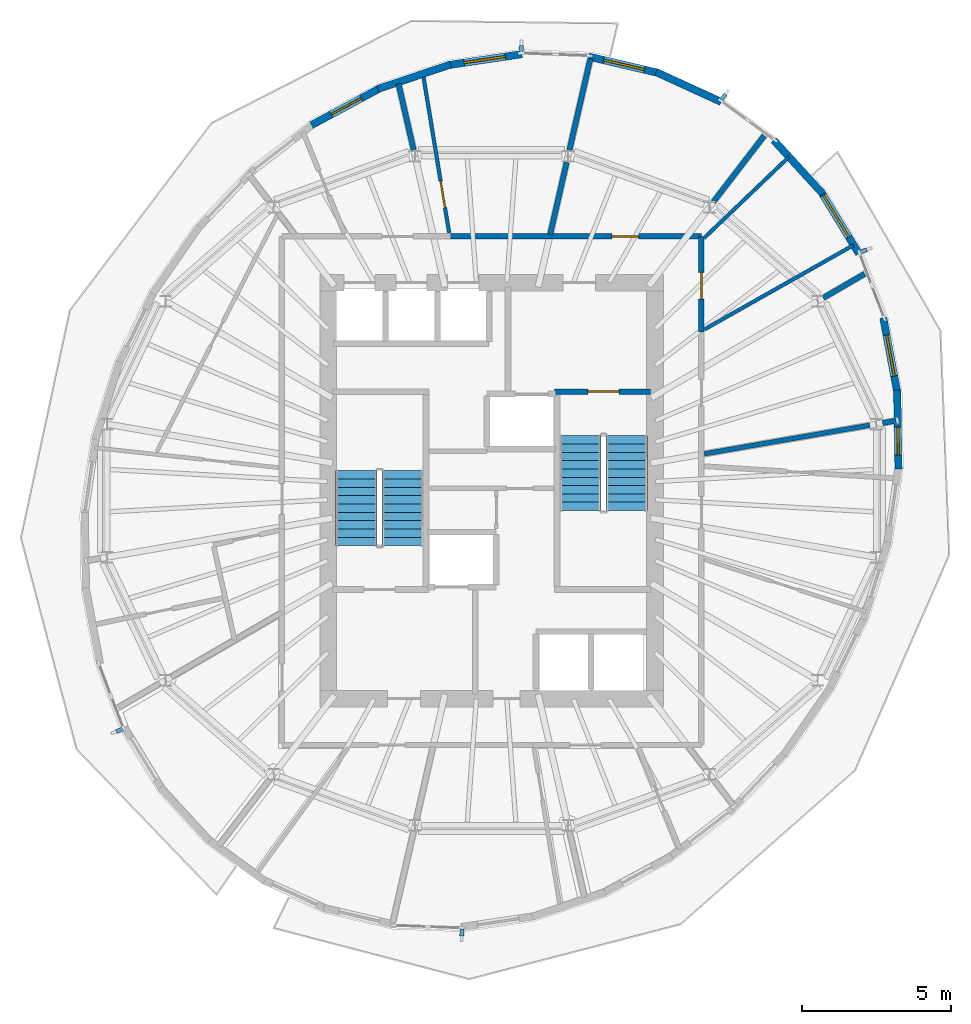
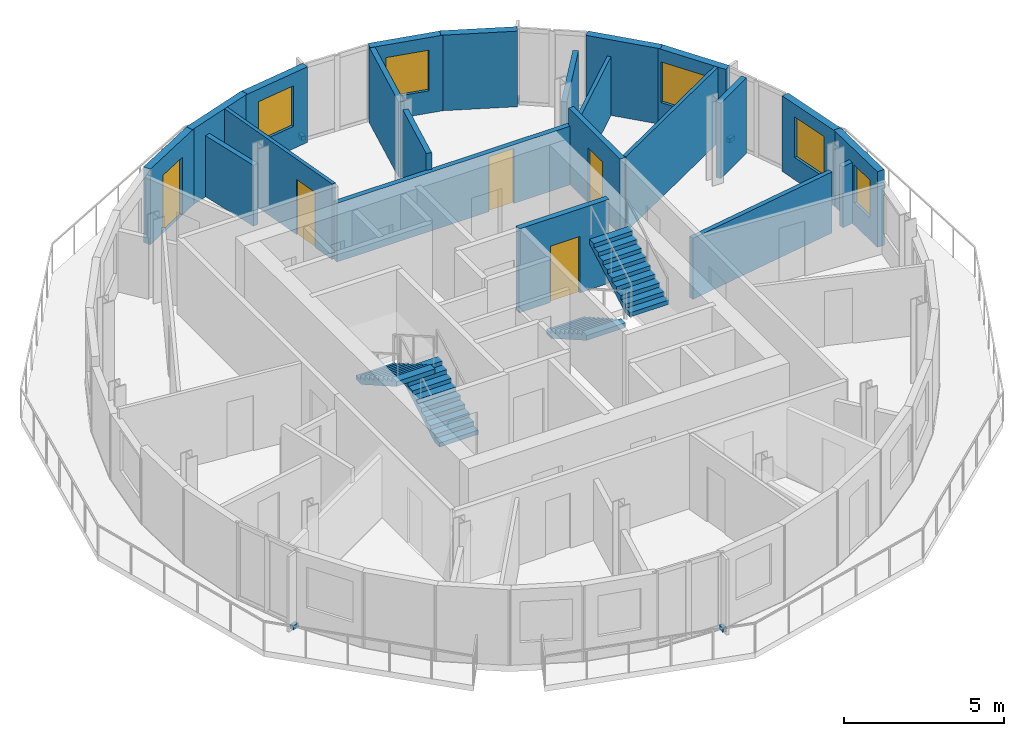
# One storey, part 7 of 11: 22 walls, 5 discrete accessories, 5 doors, 5 windows, 4 stair flights, 10 openings, 2 elements without a shape of their own.
"""IFC4 building model written with IfcOpenShell, lengths in metres."""

from ifc_helpers import new_model, si_unit, direction, frame, frame_2d, origin, origin_2d, place, context, subcontext, project, spatial, polyline, rectangle, outline, extrude, material, layer, layer_set, type_object, element, fill, aggregate, save


model = new_model("IFC4")

# Units and contexts
model_context = context("Model", 3, precision=1e-05, world=origin(), true_north=direction((0.0, 1.0)))
body_context = subcontext(model_context, "Body", "Model", "MODEL_VIEW")
ifc_project = project(units=[si_unit("LENGTHUNIT", "METRE"), si_unit("AREAUNIT", "SQUARE_METRE"), si_unit("VOLUMEUNIT", "CUBIC_METRE"), si_unit("PLANEANGLEUNIT", "RADIAN"), si_unit("MASSUNIT", "GRAM", prefix="KILO")], contexts=[model_context])

# Site, building, storey
site_placement = place(None, origin())
site = spatial("IfcSite", under=ifc_project, at=site_placement, CompositionType="ELEMENT")
building_placement = place(site_placement, origin())
building = spatial("IfcBuilding", under=site, at=building_placement, Name="Veldorim Arch Residences", CompositionType="ELEMENT")
storey_placement = place(building_placement, frame((0.0, 0.0, 239.840087890625)))
storey = spatial("IfcBuildingStorey", under=building, at=storey_placement, Name="L72", CompositionType="ELEMENT", Elevation=239.840087890625)

# Walls
ifc_material_1 = material(Name="Acoustic Gypsum Board", Category="gypsum")
ifc_layer_1 = layer(ifc_material_1, 0.125, Name="Acoustic Stud Room Partition Wall 125")
ifc_layer_set_1 = layer_set([ifc_layer_1], Name="Acoustic Gypsum Board")
wall_type_1 = type_object("IfcWallType", Name="Acoustic Stud Room Partition Wall 125", PredefinedType="PARTITIONING", material=ifc_layer_set_1)
wall_1_placement = place(storey_placement, frame((42.00244140625, 35.226318359375, 0.0), z_axis=(0.0, 0.0, 1.0), x_axis=(-0.722686135134, -0.691176352377, 0.0)))
element("IfcWall", 1, at=wall_1_placement, inside=storey, type_object=wall_type_1, Name="L72 interior wall WL-RES-L72-018", PredefinedType="PARTITIONING", context=body_context, shape_type="SweptSolid", body=[
    extrude(rectangle(XDim=3.951416015625, YDim=0.125, at=frame_2d((1.9755859375, 0.0))), origin(), (0.0, 0.0, 1.0), 2.23779296875),
])
wall_2_placement = place(storey_placement, frame((44.17919921875, 32.260498046875, 0.0), z_axis=(0.0, 0.0, 1.0), x_axis=(-0.870609410892, -0.491974850644, 0.0)))
element("IfcWall", 2, at=wall_2_placement, inside=storey, type_object=wall_type_1, Name="L72 interior wall WL-RES-L72-020", PredefinedType="PARTITIONING", context=body_context, shape_type="SweptSolid", body=[
    extrude(rectangle(XDim=5.760009765625, YDim=0.125, at=frame_2d((2.8798828125, 0.0))), origin(), (0.0, 0.0, 1.0), 2.875),
])

# Wall, opening, door
wall_3_placement = place(storey_placement, frame((29.693603515625, 38.01953125, 0.0), z_axis=(0.0, 0.0, 1.0), x_axis=(0.162328724732, -0.98673673547, 0.0)))
wall_3 = element("IfcWall", 3, at=wall_3_placement, inside=storey, type_object=wall_type_1, Name="L72 interior wall WL-RES-L72-022", PredefinedType="PARTITIONING", context=body_context, shape_type="SweptSolid", body=[
    extrude(rectangle(XDim=5.412841796875, YDim=0.125, at=frame_2d((2.70654296875, 0.0))), origin(), (0.0, 0.0, 1.0), 2.875),
])
opening_1_placement = place(wall_3_placement, frame((3.656494140625, 0.0, 0.0)))
opening_1 = element("IfcOpeningElement", 4, at=opening_1_placement, cuts=wall_3, Name="Opening DR-INT", PredefinedType="OPENING", context=body_context, shape_type="SweptSolid", body=[
    extrude(rectangle(XDim=0.89990234375, YDim=2.10009765625, at=frame_2d((0.449951171875, 1.050048828125))), frame((0.0, 0.072509765625, 0.0), z_axis=(0.0, -1.0, 0.0), x_axis=(1.0, 0.0, 0.0)), (0.0, 0.0, 1.0), 0.14501953125),
])
ifc_material_2 = material(Name="Engineered Timber", Category="wood")
door_type_1 = type_object("IfcDoorType", Name="Apartment Internal Room Timber Door 900x2100", OperationType="SINGLE_SWING_LEFT", PredefinedType="DOOR", material=ifc_material_2)
door_1_placement = place(opening_1_placement, origin())
door_1 = element("IfcDoor", 5, at=door_1_placement, inside=storey, type_object=door_type_1, Name="L72 interior door DR-RES-L72-014", OperationType="SINGLE_SWING_RIGHT", OverallHeight=2.10009765625, OverallWidth=0.89990234375, PredefinedType="DOOR", context=body_context, shape_type="SweptSolid", body=[
    extrude(rectangle(XDim=0.89990234375, YDim=2.10009765625, at=frame_2d((0.449951171875, 1.050048828125))), frame((0.0, 0.02490234375, 0.0), z_axis=(0.0, -1.0, 0.0), x_axis=(1.0, 0.0, 0.0)), (0.0, 0.0, 1.0), 0.050048828125),
])
fill(opening_1, door_1)

# Walls
ifc_material_3 = material(Name="Lightweight Masonry Block & Gypsum", Category="masonry")
ifc_layer_2 = layer(ifc_material_3, 0.179931640625, Name="Compartment & Corridor Fire-Rated Party Wall 180")
ifc_layer_set_2 = layer_set([ifc_layer_2], Name="Lightweight Masonry Block & Gypsum")
wall_type_2 = type_object("IfcWallType", Name="Compartment & Corridor Fire-Rated Party Wall 180", PredefinedType="PARTITIONING", material=ifc_layer_set_2)
wall_4_placement = place(storey_placement, frame((45.16259765625, 26.277099609375, 0.0), z_axis=(0.0, 0.0, 1.0), x_axis=(0.985450971837, 0.169959942652, 0.0)))
element("IfcWall", 6, at=wall_4_placement, inside=storey, type_object=wall_type_2, Name="L72 interior wall WL-PIER-L72-01", PredefinedType="PARTITIONING", context=body_context, shape_type="SweptSolid", body=[
    extrude(rectangle(XDim=0.462646484375, YDim=0.179931640625, at=frame_2d((0.2314453125, 0.0))), origin(), (0.0, 0.0, 1.0), 2.3232421875),
])
wall_5_placement = place(storey_placement, frame((43.165283203125, 30.48828125, 0.0), z_axis=(0.0, 0.0, 1.0), x_axis=(0.864591417654, 0.50247555216, 0.0)))
element("IfcWall", 7, at=wall_5_placement, inside=storey, type_object=wall_type_2, Name="L72 interior wall WL-PIER-L72-02", PredefinedType="PARTITIONING", context=body_context, shape_type="SweptSolid", body=[
    extrude(rectangle(XDim=1.610595703125, YDim=0.179931640625, at=frame_2d((0.80517578125, 0.0))), origin(), (0.0, 0.0, 1.0), 2.875),
])
wall_6_placement = place(storey_placement, frame((39.46728515625, 33.719482421875, 0.0), z_axis=(0.0, 0.0, 1.0), x_axis=(0.609215330611, 0.793004842954, 0.0)))
element("IfcWall", 8, at=wall_6_placement, inside=storey, type_object=wall_type_2, Name="L72 interior wall WL-PIER-L72-03", PredefinedType="PARTITIONING", context=body_context, shape_type="SweptSolid", body=[
    extrude(rectangle(XDim=2.810791015625, YDim=0.179931640625, at=frame_2d((1.4052734375, 0.0))), origin(), (0.0, 0.0, 1.0), 2.23779296875),
])
wall_7_placement = place(storey_placement, frame((34.6240234375, 35.473388671875, 0.0), z_axis=(0.0, 0.0, 1.0), x_axis=(0.222991059039, 0.974820489931, 0.0)))
element("IfcWall", 9, at=wall_7_placement, inside=storey, type_object=wall_type_2, Name="L72 interior wall WL-PIER-L72-04", PredefinedType="PARTITIONING", context=body_context, shape_type="SweptSolid", body=[
    extrude(rectangle(XDim=3.14990234375, YDim=0.179931640625, at=frame_2d((1.574951171875, 0.0))), origin(), (0.0, 0.0, 1.0), 2.875),
])
wall_8_placement = place(storey_placement, frame((29.3759765625, 35.473388671875, 0.0), z_axis=(0.0, 0.0, 1.0), x_axis=(-0.223007763243, 0.974816668679, 0.0)))
element("IfcWall", 10, at=wall_8_placement, inside=storey, type_object=wall_type_2, Name="L72 interior wall WL-PIER-L72-05", PredefinedType="PARTITIONING", context=body_context, shape_type="SweptSolid", body=[
    extrude(rectangle(XDim=2.282470703125, YDim=0.179931640625, at=frame_2d((1.14111328125, 0.0))), origin(), (0.0, 0.0, 1.0), 2.3232421875),
])

# Wall, opening, door
wall_9_placement = place(storey_placement, frame((30.571533203125, 32.56005859375, 0.0), z_axis=(0.0, 0.0, 1.0), x_axis=(1.0, 0.0, 0.0)))
wall_9 = element("IfcWall", 11, at=wall_9_placement, inside=storey, type_object=wall_type_2, Name="L72 interior wall WL-RES-L72-005", PredefinedType="PARTITIONING", context=body_context, shape_type="SweptSolid", body=[
    extrude(rectangle(XDim=8.488525390625, YDim=0.179931640625, at=frame_2d((4.244140625, 0.0))), origin(), (0.0, 0.0, 1.0), 2.23779296875),
])
opening_2_placement = place(wall_9_placement, frame((5.477294921875, 0.0, 0.0)))
opening_2 = element("IfcOpeningElement", 12, at=opening_2_placement, cuts=wall_9, Name="Opening DR-SVC", PredefinedType="OPENING", context=body_context, shape_type="SweptSolid", body=[
    extrude(rectangle(XDim=0.89990234375, YDim=2.10009765625, at=frame_2d((0.449951171875, 1.050048828125))), frame((0.0, 0.099853515625, 0.0), z_axis=(0.0, -1.0, 0.0), x_axis=(1.0, 0.0, 0.0)), (0.0, 0.0, 1.0), 0.199951171875),
])
ifc_material_4 = material(Name="Fire-Rated Steel", Category="steel")
door_type_2 = type_object("IfcDoorType", Name="Riser, Shelter & Plant Room Rated Steel Door 900x2100", OperationType="SINGLE_SWING_LEFT", PredefinedType="DOOR", material=ifc_material_4)
door_2_placement = place(opening_2_placement, origin())
door_2 = element("IfcDoor", 13, at=door_2_placement, inside=storey, type_object=door_type_2, Name="L72 interior door DR-RES-L72-009", OperationType="SINGLE_SWING_LEFT", OverallHeight=2.10009765625, OverallWidth=0.89990234375, PredefinedType="DOOR", context=body_context, shape_type="SweptSolid", body=[
    extrude(rectangle(XDim=0.89990234375, YDim=2.10009765625, at=frame_2d((0.449951171875, 1.050048828125))), frame((0.0, 0.02490234375, 0.0), z_axis=(0.0, -1.0, 0.0), x_axis=(1.0, 0.0, 0.0)), (0.0, 0.0, 1.0), 0.050048828125),
])
fill(opening_2, door_2)

wall_10_placement = place(storey_placement, frame((39.06005859375, 32.56005859375, 0.0), z_axis=(0.0, 0.0, 1.0), x_axis=(0.0, -1.0, 0.0)))
wall_10 = element("IfcWall", 14, at=wall_10_placement, inside=storey, type_object=wall_type_2, Name="L72 interior wall WL-RES-L72-006", PredefinedType="PARTITIONING", context=body_context, shape_type="SweptSolid", body=[
    extrude(rectangle(XDim=3.21240234375, YDim=0.179931640625, at=frame_2d((1.606201171875, 0.0))), origin(), (0.0, 0.0, 1.0), 2.875),
])
opening_3_placement = place(wall_10_placement, frame((1.21630859375, 0.0, 0.0)))
opening_3 = element("IfcOpeningElement", 15, at=opening_3_placement, cuts=wall_10, Name="Opening DR-INT", PredefinedType="OPENING", context=body_context, shape_type="SweptSolid", body=[
    extrude(rectangle(XDim=0.89990234375, YDim=2.10009765625, at=frame_2d((0.449951171875, 1.050048828125))), frame((0.0, 0.099853515625, 0.0), z_axis=(0.0, -1.0, 0.0), x_axis=(1.0, 0.0, 0.0)), (0.0, 0.0, 1.0), 0.199951171875),
])
door_3_placement = place(opening_3_placement, origin())
door_3 = element("IfcDoor", 16, at=door_3_placement, inside=storey, type_object=door_type_1, Name="L72 interior door DR-RES-L72-010", OperationType="SINGLE_SWING_RIGHT", OverallHeight=2.10009765625, OverallWidth=0.89990234375, PredefinedType="DOOR", context=body_context, shape_type="SweptSolid", body=[
    extrude(rectangle(XDim=0.89990234375, YDim=2.10009765625, at=frame_2d((0.449951171875, 1.050048828125))), frame((0.0, 0.02490234375, 0.0), z_axis=(0.0, -1.0, 0.0), x_axis=(1.0, 0.0, 0.0)), (0.0, 0.0, 1.0), 0.050048828125),
])
fill(opening_3, door_3)

# Wall
wall_11_placement = place(storey_placement, frame((33.97119140625, 32.618408203125, 0.0), z_axis=(0.0, 0.0, 1.0), x_axis=(0.222978952174, 0.974823259308, 0.0)))
element("IfcWall", 17, at=wall_11_placement, inside=storey, type_object=wall_type_2, Name="L72 interior wall WL-RES-L72-019", PredefinedType="PARTITIONING", context=body_context, shape_type="SweptSolid", body=[
    extrude(rectangle(XDim=2.494140625, YDim=0.179931640625, at=frame_2d((1.2470703125, 0.0))), origin(), (0.0, 0.0, 1.0), 2.875),
])

# Wall, opening, door
ifc_material_5 = material(Name="Concrete C50/60", Category="concrete")
ifc_layer_3 = layer(ifc_material_5, 0.199951171875, Name="Core Stair & Lift Shaft Enclosure Wall 200")
ifc_layer_set_3 = layer_set([ifc_layer_3], Name="Concrete C50/60")
wall_type_3 = type_object("IfcWallType", Name="Core Stair & Lift Shaft Enclosure Wall 200", PredefinedType="SHEAR", material=ifc_layer_set_3)
wall_12_placement = place(storey_placement, frame((34.110107421875, 27.330078125, 0.0), z_axis=(0.0, 0.0, 1.0), x_axis=(1.0, 0.0, 0.0)))
wall_12 = element("IfcWall", 18, at=wall_12_placement, inside=storey, type_object=wall_type_3, Name="L72 shaft wall WL-SHF-L72-ST2-N", PredefinedType="SHEAR", context=body_context, shape_type="SweptSolid", body=[
    extrude(rectangle(XDim=3.239990234375, YDim=0.199951171875, at=frame_2d((1.6201171875, 0.0))), origin(), (0.0, 0.0, 1.0), 3.199951171875),
])
opening_4_placement = place(wall_12_placement, frame((1.135009765625, 0.0, 0.0)))
opening_4 = element("IfcOpeningElement", 19, at=opening_4_placement, cuts=wall_12, Name="Opening DR-ST", PredefinedType="OPENING", context=body_context, shape_type="SweptSolid", body=[
    extrude(rectangle(XDim=1.050048828125, YDim=2.14990234375, at=frame_2d((0.52490234375, 1.074951171875))), frame((0.0, 0.10986328125, 0.0), z_axis=(0.0, -1.0, 0.0), x_axis=(1.0, 0.0, 0.0)), (0.0, 0.0, 1.0), 0.219970703125),
])
ifc_material_6 = material(Name="Fire-Rated Steel", Category="steel")
door_type_3 = type_object("IfcDoorType", Name="Exit Staircase Self-Closing Fire Door 1050x2150", OperationType="SINGLE_SWING_LEFT", PredefinedType="DOOR", material=ifc_material_6)
door_4_placement = place(opening_4_placement, origin())
door_4 = element("IfcDoor", 20, at=door_4_placement, inside=storey, type_object=door_type_3, Name="L72 interior door DR-L72-ST2", OperationType="SINGLE_SWING_RIGHT", OverallHeight=2.14990234375, OverallWidth=1.050048828125, PredefinedType="DOOR", context=body_context, shape_type="SweptSolid", body=[
    extrude(rectangle(XDim=1.050048828125, YDim=2.14990234375, at=frame_2d((0.52490234375, 1.074951171875))), frame((0.0, 0.02490234375, 0.0), z_axis=(0.0, -1.0, 0.0), x_axis=(1.0, 0.0, 0.0)), (0.0, 0.0, 1.0), 0.050048828125),
])
fill(opening_4, door_4)

# Wall
ifc_material_7 = material(Name="Precast concrete C40/50", Category="concrete")
ifc_layer_4 = layer(ifc_material_7, 0.25, Name="Tower Terracotta Spandrel & Pier Wall 250")
ifc_layer_set_4 = layer_set([ifc_layer_4], Name="Precast concrete C40/50")
wall_type_4 = type_object("IfcWallType", Name="Tower Terracotta Spandrel & Pier Wall 250", PredefinedType="SOLIDWALL", material=ifc_layer_set_4)
wall_13_placement = place(storey_placement, frame((37.536865234375, 38.092529296875, 0.0), z_axis=(0.0, 0.0, 1.0), x_axis=(0.909098330543, -0.416581595133, 0.0)))
element("IfcWall", 21, at=wall_13_placement, inside=storey, type_object=wall_type_4, Name="L72 terracotta facade wall 01", PredefinedType="SOLIDWALL", context=body_context, shape_type="SweptSolid", body=[
    extrude(rectangle(XDim=2.41455078125, YDim=0.25, at=frame_2d((1.207275390625, 0.0))), origin(), (0.0, 0.0, 1.0), 2.8798828125),
])

# Wall, opening, window
wall_14_placement = place(storey_placement, frame((35.27294921875, 38.613037109375, 0.0), z_axis=(0.0, 0.0, 1.0), x_axis=(0.973464451287, -0.228838288055, 0.0)))
wall_14 = element("IfcWall", 22, at=wall_14_placement, inside=storey, type_object=wall_type_4, Name="L72 terracotta facade wall 02", PredefinedType="SOLIDWALL", context=body_context, shape_type="SweptSolid", body=[
    extrude(rectangle(XDim=2.436767578125, YDim=0.25, at=frame_2d((1.21826171875, 0.0))), origin(), (0.0, 0.0, 1.0), 2.8798828125),
])
opening_5_placement = place(wall_14_placement, frame((0.51806640625, 0.0, 0.85009765625)))
opening_5 = element("IfcOpeningElement", 23, at=opening_5_placement, cuts=wall_14, Name="Opening WN-02", PredefinedType="OPENING", context=body_context, shape_type="SweptSolid", body=[
    extrude(rectangle(XDim=1.39990234375, YDim=1.550048828125, at=frame_2d((0.699951171875, 0.77490234375))), frame((0.0, 0.135009765625, 0.0), z_axis=(0.0, -1.0, 0.0), x_axis=(1.0, 0.0, 0.0)), (0.0, 0.0, 1.0), 0.27001953125),
])
ifc_material_8 = material(Name="Laminated Low-E Glass", Category="glass")
window_type_1 = type_object("IfcWindowType", Name="Residential Casement Window 1400x1550", PartitioningType="SINGLE_PANEL", PredefinedType="WINDOW", material=ifc_material_8)
window_1_placement = place(opening_5_placement, origin())
window_1 = element("IfcWindow", 24, at=window_1_placement, inside=storey, type_object=window_type_1, Name="L72 solar-control facade window 02", OverallHeight=1.550048828125, OverallWidth=1.39990234375, PartitioningType="SINGLE_PANEL", PredefinedType="WINDOW", context=body_context, shape_type="SweptSolid", body=[
    extrude(rectangle(XDim=1.39990234375, YDim=1.550048828125, at=frame_2d((0.699951171875, 0.77490234375))), frame((0.0, 0.030029296875, 0.0), z_axis=(0.0, -1.0, 0.0), x_axis=(1.0, 0.0, 0.0)), (0.0, 0.0, 1.0), 0.06005859375),
])
fill(opening_5, window_1)

wall_15_placement = place(storey_placement, frame((30.517578125, 38.323486328125, 0.0), z_axis=(0.0, 0.0, 1.0), x_axis=(0.989047098021, 0.147600263873, 0.0)))
wall_15 = element("IfcWall", 25, at=wall_15_placement, inside=storey, type_object=wall_type_4, Name="L72 terracotta facade wall 04", PredefinedType="SOLIDWALL", context=body_context, shape_type="SweptSolid", body=[
    extrude(rectangle(XDim=2.532470703125, YDim=0.25, at=frame_2d((1.26611328125, 0.0))), origin(), (0.0, 0.0, 1.0), 2.8798828125),
])
opening_6_placement = place(wall_15_placement, frame((0.56591796875, 0.0, 0.85009765625)))
opening_6 = element("IfcOpeningElement", 26, at=opening_6_placement, cuts=wall_15, Name="Opening WN-02", PredefinedType="OPENING", context=body_context, shape_type="SweptSolid", body=[
    extrude(rectangle(XDim=1.39990234375, YDim=1.550048828125, at=frame_2d((0.699951171875, 0.77490234375))), frame((0.0, 0.135009765625, 0.0), z_axis=(0.0, -1.0, 0.0), x_axis=(1.0, 0.0, 0.0)), (0.0, 0.0, 1.0), 0.27001953125),
])
window_2_placement = place(opening_6_placement, origin())
window_2 = element("IfcWindow", 27, at=window_2_placement, inside=storey, type_object=window_type_1, Name="L72 solar-control facade window 04", OverallHeight=1.550048828125, OverallWidth=1.39990234375, PartitioningType="SINGLE_PANEL", PredefinedType="WINDOW", context=body_context, shape_type="SweptSolid", body=[
    extrude(rectangle(XDim=1.39990234375, YDim=1.550048828125, at=frame_2d((0.699951171875, 0.77490234375))), frame((0.0, 0.030029296875, 0.0), z_axis=(0.0, -1.0, 0.0), x_axis=(1.0, 0.0, 0.0)), (0.0, 0.0, 1.0), 0.06005859375),
])
fill(opening_6, window_2)

# Wall
wall_16_placement = place(storey_placement, frame((28.170166015625, 37.521484375, 0.0), z_axis=(0.0, 0.0, 1.0), x_axis=(0.947566090698, 0.319559859431, 0.0)))
element("IfcWall", 28, at=wall_16_placement, inside=storey, type_object=wall_type_4, Name="L72 terracotta facade wall 05", PredefinedType="SOLIDWALL", context=body_context, shape_type="SweptSolid", body=[
    extrude(rectangle(XDim=2.59228515625, YDim=0.25, at=frame_2d((1.296142578125, 0.0))), origin(), (0.0, 0.0, 1.0), 2.8798828125),
])

# Wall, opening, door
wall_17_placement = place(storey_placement, frame((25.937744140625, 36.30859375, 0.0), z_axis=(0.0, 0.0, 1.0), x_axis=(0.880420823352, 0.47419318195, 0.0)))
wall_17 = element("IfcWall", 29, at=wall_17_placement, inside=storey, type_object=wall_type_4, Name="L72 terracotta facade wall 06", PredefinedType="SOLIDWALL", context=body_context, shape_type="SweptSolid", body=[
    extrude(rectangle(XDim=2.65087890625, YDim=0.25, at=frame_2d((1.325439453125, 0.0))), origin(), (0.0, 0.0, 1.0), 2.8798828125),
])
opening_7_placement = place(wall_17_placement, frame((0.7509765625, 0.0, 0.0)))
opening_7 = element("IfcOpeningElement", 30, at=opening_7_placement, cuts=wall_17, Name="Opening BL-DR", PredefinedType="OPENING", context=body_context, shape_type="SweptSolid", body=[
    extrude(rectangle(XDim=1.14990234375, YDim=2.199951171875, at=frame_2d((0.574951171875, 1.10009765625))), frame((0.0, 0.135009765625, 0.0), z_axis=(0.0, -1.0, 0.0), x_axis=(1.0, 0.0, 0.0)), (0.0, 0.0, 1.0), 0.27001953125),
])
ifc_material_9 = material(Name="Aluminium & Low-E Glass", Category="aluminium")
door_type_4 = type_object("IfcDoorType", Name="Glazed Planted Balcony Door 1150x2200", OperationType="SINGLE_SWING_LEFT", PredefinedType="DOOR", material=ifc_material_9)
door_5_placement = place(opening_7_placement, origin())
door_5 = element("IfcDoor", 31, at=door_5_placement, inside=storey, type_object=door_type_4, Name="L72 glazed outdoor terrace door BALC-1", OperationType="SINGLE_SWING_RIGHT", OverallHeight=2.199951171875, OverallWidth=1.14990234375, PredefinedType="DOOR", context=body_context, shape_type="SweptSolid", body=[
    extrude(rectangle(XDim=1.14990234375, YDim=2.199951171875, at=frame_2d((0.574951171875, 1.10009765625))), frame((0.0, 0.02490234375, 0.0), z_axis=(0.0, -1.0, 0.0), x_axis=(1.0, 0.0, 0.0)), (0.0, 0.0, 1.0), 0.050048828125),
])
fill(opening_7, door_5)

# Wall, opening, window
wall_18_placement = place(storey_placement, frame((45.656005859375, 27.3828125, 0.0), z_axis=(0.0, 0.0, 1.0), x_axis=(0.016945158089, -0.999856420501, 0.0)))
wall_18 = element("IfcWall", 32, at=wall_18_placement, inside=storey, type_object=wall_type_4, Name="L72 terracotta facade wall 31", PredefinedType="SOLIDWALL", context=body_context, shape_type="SweptSolid", body=[
    extrude(rectangle(XDim=2.651123046875, YDim=0.25, at=frame_2d((1.32568359375, 0.0))), origin(), (0.0, 0.0, 1.0), 2.8798828125),
])
opening_8_placement = place(wall_18_placement, frame((1.236083984375, 0.0, 0.85009765625)))
opening_8 = element("IfcOpeningElement", 33, at=opening_8_placement, cuts=wall_18, Name="Opening WN-05", PredefinedType="OPENING", context=body_context, shape_type="SweptSolid", body=[
    extrude(rectangle(XDim=0.949951171875, YDim=1.43994140625, at=frame_2d((0.47509765625, 0.719970703125))), frame((0.0, 0.135009765625, 0.0), z_axis=(0.0, -1.0, 0.0), x_axis=(1.0, 0.0, 0.0)), (0.0, 0.0, 1.0), 0.27001953125),
])
ifc_material_10 = material(Name="Laminated Low-E Glass", Category="glass")
window_type_2 = type_object("IfcWindowType", Name="Residential Compact Casement Window 950x1450", PartitioningType="SINGLE_PANEL", PredefinedType="WINDOW", material=ifc_material_10)
window_3_placement = place(opening_8_placement, origin())
window_3 = element("IfcWindow", 34, at=window_3_placement, inside=storey, type_object=window_type_2, Name="L72 solar-control facade window 31", OverallHeight=1.43994140625, OverallWidth=0.949951171875, PartitioningType="SINGLE_PANEL", PredefinedType="WINDOW", context=body_context, shape_type="SweptSolid", body=[
    extrude(rectangle(XDim=0.949951171875, YDim=1.43994140625, at=frame_2d((0.47509765625, 0.719970703125))), frame((0.0, 0.030029296875, 0.0), z_axis=(0.0, -1.0, 0.0), x_axis=(1.0, 0.0, 0.0)), (0.0, 0.0, 1.0), 0.06005859375),
])
fill(opening_8, window_3)

wall_19_placement = place(storey_placement, frame((45.188232421875, 29.820068359375, 0.0), z_axis=(0.0, 0.0, 1.0), x_axis=(0.184783228791, -0.982779302976, 0.0)))
wall_19 = element("IfcWall", 35, at=wall_19_placement, inside=storey, type_object=wall_type_4, Name="L72 terracotta facade wall 32", PredefinedType="SOLIDWALL", context=body_context, shape_type="SweptSolid", body=[
    extrude(rectangle(XDim=2.59228515625, YDim=0.25, at=frame_2d((1.296142578125, 0.0))), origin(), (0.0, 0.0, 1.0), 2.8798828125),
])
opening_9_placement = place(wall_19_placement, frame((0.595947265625, 0.0, 0.85009765625)))
opening_9 = element("IfcOpeningElement", 36, at=opening_9_placement, cuts=wall_19, Name="Opening WN-02", PredefinedType="OPENING", context=body_context, shape_type="SweptSolid", body=[
    extrude(rectangle(XDim=1.39990234375, YDim=1.550048828125, at=frame_2d((0.699951171875, 0.77490234375))), frame((0.0, 0.135009765625, 0.0), z_axis=(0.0, -1.0, 0.0), x_axis=(1.0, 0.0, 0.0)), (0.0, 0.0, 1.0), 0.27001953125),
])
window_4_placement = place(opening_9_placement, origin())
window_4 = element("IfcWindow", 37, at=window_4_placement, inside=storey, type_object=window_type_1, Name="L72 solar-control facade window 32", OverallHeight=1.550048828125, OverallWidth=1.39990234375, PartitioningType="SINGLE_PANEL", PredefinedType="WINDOW", context=body_context, shape_type="SweptSolid", body=[
    extrude(rectangle(XDim=1.39990234375, YDim=1.550048828125, at=frame_2d((0.699951171875, 0.77490234375))), frame((0.0, 0.030029296875, 0.0), z_axis=(0.0, -1.0, 0.0), x_axis=(1.0, 0.0, 0.0)), (0.0, 0.0, 1.0), 0.06005859375),
])
fill(opening_9, window_4)

wall_20_placement = place(storey_placement, frame((43.0771484375, 34.092529296875, 0.0), z_axis=(0.0, 0.0, 1.0), x_axis=(0.52150580366, -0.853247734687, 0.0)))
wall_20 = element("IfcWall", 38, at=wall_20_placement, inside=storey, type_object=wall_type_4, Name="L72 terracotta facade wall 34", PredefinedType="SOLIDWALL", context=body_context, shape_type="SweptSolid", body=[
    extrude(rectangle(XDim=2.477783203125, YDim=0.25, at=frame_2d((1.23876953125, 0.0))), origin(), (0.0, 0.0, 1.0), 2.8798828125),
])
opening_10_placement = place(wall_20_placement, frame((0.175048828125, 0.0, 0.85009765625)))
opening_10 = element("IfcOpeningElement", 39, at=opening_10_placement, cuts=wall_20, Name="Opening WN-03", PredefinedType="OPENING", context=body_context, shape_type="SweptSolid", body=[
    extrude(rectangle(XDim=1.64990234375, YDim=1.550048828125, at=frame_2d((0.824951171875, 0.77490234375))), frame((0.0, 0.135009765625, 0.0), z_axis=(0.0, -1.0, 0.0), x_axis=(1.0, 0.0, 0.0)), (0.0, 0.0, 1.0), 0.27001953125),
])
ifc_material_11 = material(Name="Laminated Low-E Glass", Category="glass")
window_type_3 = type_object("IfcWindowType", Name="Residential Wide Window 1650x1550", PartitioningType="SINGLE_PANEL", PredefinedType="WINDOW", material=ifc_material_11)
window_5_placement = place(opening_10_placement, origin())
window_5 = element("IfcWindow", 40, at=window_5_placement, inside=storey, type_object=window_type_3, Name="L72 solar-control facade window 34", OverallHeight=1.550048828125, OverallWidth=1.64990234375, PartitioningType="SINGLE_PANEL", PredefinedType="WINDOW", context=body_context, shape_type="SweptSolid", body=[
    extrude(rectangle(XDim=1.64990234375, YDim=1.550048828125, at=frame_2d((0.824951171875, 0.77490234375))), frame((0.0, 0.030029296875, 0.0), z_axis=(0.0, -1.0, 0.0), x_axis=(1.0, 0.0, 0.0)), (0.0, 0.0, 1.0), 0.06005859375),
])
fill(opening_10, window_5)

# Walls
wall_21_placement = place(storey_placement, frame((41.498779296875, 35.7978515625, 0.0), z_axis=(0.0, 0.0, 1.0), x_axis=(0.675783606308, -0.737100072884, 0.0)))
element("IfcWall", 41, at=wall_21_placement, inside=storey, type_object=wall_type_4, Name="L72 terracotta facade wall 35", PredefinedType="SOLIDWALL", context=body_context, shape_type="SweptSolid", body=[
    extrude(rectangle(XDim=2.436767578125, YDim=0.25, at=frame_2d((1.21826171875, 0.0))), origin(), (0.0, 0.0, 1.0), 2.8798828125),
])
ifc_material_12 = material(Name="Moisture-Resistant Gypsum & Stud", Category="gypsum")
ifc_layer_5 = layer(ifc_material_12, 0.159912109375, Name="Wet-Area Moisture-Resistant Plumbing Wall 160")
ifc_layer_set_5 = layer_set([ifc_layer_5], Name="Moisture-Resistant Gypsum & Stud")
wall_type_5 = type_object("IfcWallType", Name="Wet-Area Moisture-Resistant Plumbing Wall 160", PredefinedType="PLUMBINGWALL", material=ifc_layer_set_5)
wall_22_placement = place(storey_placement, frame((39.158447265625, 25.23828125, 0.0), z_axis=(0.0, 0.0, 1.0), x_axis=(0.985360267717, 0.170485022229, 0.0)))
element("IfcWall", 42, at=wall_22_placement, inside=storey, type_object=wall_type_5, Name="L72 interior wall WL-RES-L72-017", PredefinedType="PLUMBINGWALL", context=body_context, shape_type="SweptSolid", body=[
    extrude(rectangle(XDim=5.656494140625, YDim=0.159912109375, at=frame_2d((2.828125, 0.0))), origin(), (0.0, 0.0, 1.0), 2.3232421875),
])

# Stair, stair flights
ifc_material_13 = material(Name="Concrete C40/50", Category="concrete")
stair_type = type_object("IfcStairType", Name="Reinforced Concrete Dogleg Exit Staircase", PredefinedType="HALF_TURN_STAIR", material=ifc_material_13)
stair_1_placement = place(storey_placement, origin())
stair_1 = element("IfcStair", 43, at=stair_1_placement, inside=storey, type_object=stair_type, Name="L72 Exit Staircase ST-1", PredefinedType="HALF_TURN_STAIR")
ifc_material_14 = material(Name="Concrete C40/50", Category="concrete")
stair_flight_type = type_object("IfcStairFlightType", Name="Reinforced Concrete Stair Flight 1400", PredefinedType="STRAIGHT", material=ifc_material_14)
stair_flight_1_placement = place(storey_placement, frame((29.010009765625, 22.14990234375, 0.0), z_axis=(0.0, 0.0, 1.0), x_axis=(0.0, 1.0, 0.0)))
stair_flight_1 = element("IfcStairFlight", 44, at=stair_flight_1_placement, type_object=stair_flight_type, Name="ST-1 flight 1", NumberOfRisers=10, NumberOfTreads=9, PredefinedType="STRAIGHT", RiserHeight=0.16, TreadLength=0.28, context=body_context, shape_type="SweptSolid", body=[
    extrude(outline(polyline([(0.0, 0.0), (0.0, 0.159912109375), (0.280029296875, 0.159912109375), (0.280029296875, 0.320068359375), (0.56005859375, 0.320068359375), (0.56005859375, 0.47998046875), (0.840087890625, 0.47998046875), (0.840087890625, 0.639892578125), (1.1201171875, 0.639892578125), (1.1201171875, 0.800048828125), (1.39990234375, 0.800048828125), (1.39990234375, 0.9599609375), (1.679931640625, 0.9599609375), (1.679931640625, 1.1201171875), (1.9599609375, 1.1201171875), (1.9599609375, 1.280029296875), (2.239990234375, 1.280029296875), (2.239990234375, 1.43994140625), (2.52001953125, 1.43994140625), (2.52001953125, 1.60009765625), (2.52001953125, 1.255859375), (0.322265625, 0.0), (0.0, 0.0)])), frame((0.0, 0.699951171875, 0.0), z_axis=(0.0, -1.0, 0.0), x_axis=(1.0, 0.0, 0.0)), (0.0, 0.0, 1.0), 1.39990234375),
])
stair_flight_2_placement = place(storey_placement, frame((27.449951171875, 24.669921875, 1.599853515625), z_axis=(0.0, 0.0, 1.0), x_axis=(0.0, -1.0, 0.0)))
stair_flight_2 = element("IfcStairFlight", 45, at=stair_flight_2_placement, type_object=stair_flight_type, Name="ST-1 flight 2", NumberOfRisers=10, NumberOfTreads=9, PredefinedType="STRAIGHT", RiserHeight=0.16, TreadLength=0.28, context=body_context, shape_type="SweptSolid", body=[
    extrude(outline(polyline([(0.0, 0.0), (0.0, 0.159912109375), (0.280029296875, 0.159912109375), (0.280029296875, 0.320068359375), (0.56005859375, 0.320068359375), (0.56005859375, 0.47998046875), (0.840087890625, 0.47998046875), (0.840087890625, 0.639892578125), (1.1201171875, 0.639892578125), (1.1201171875, 0.800048828125), (1.39990234375, 0.800048828125), (1.39990234375, 0.9599609375), (1.679931640625, 0.9599609375), (1.679931640625, 1.1201171875), (1.9599609375, 1.1201171875), (1.9599609375, 1.280029296875), (2.239990234375, 1.280029296875), (2.239990234375, 1.43994140625), (2.52001953125, 1.43994140625), (2.52001953125, 1.60009765625), (2.52001953125, 1.255859375), (0.322265625, 0.0), (0.0, 0.0)])), frame((0.0, 0.699951171875, 0.0), z_axis=(0.0, -1.0, 0.0), x_axis=(1.0, 0.0, 0.0)), (0.0, 0.0, 1.0), 1.39990234375),
])
aggregate(stair_1, [stair_flight_1, stair_flight_2])

stair_2_placement = place(storey_placement, origin())
stair_2 = element("IfcStair", 46, at=stair_2_placement, inside=storey, type_object=stair_type, Name="L72 Exit Staircase ST-2", PredefinedType="HALF_TURN_STAIR")
stair_flight_3_placement = place(storey_placement, frame((34.989990234375, 25.85009765625, 0.0), z_axis=(0.0, 0.0, 1.0), x_axis=(0.0, -1.0, 0.0)))
stair_flight_3 = element("IfcStairFlight", 47, at=stair_flight_3_placement, type_object=stair_flight_type, Name="ST-2 flight 1", NumberOfRisers=10, NumberOfTreads=9, PredefinedType="STRAIGHT", RiserHeight=0.16, TreadLength=0.28, context=body_context, shape_type="SweptSolid", body=[
    extrude(outline(polyline([(0.0, 0.0), (0.0, 0.159912109375), (0.280029296875, 0.159912109375), (0.280029296875, 0.320068359375), (0.56005859375, 0.320068359375), (0.56005859375, 0.47998046875), (0.840087890625, 0.47998046875), (0.840087890625, 0.639892578125), (1.1201171875, 0.639892578125), (1.1201171875, 0.800048828125), (1.39990234375, 0.800048828125), (1.39990234375, 0.9599609375), (1.679931640625, 0.9599609375), (1.679931640625, 1.1201171875), (1.9599609375, 1.1201171875), (1.9599609375, 1.280029296875), (2.239990234375, 1.280029296875), (2.239990234375, 1.43994140625), (2.52001953125, 1.43994140625), (2.52001953125, 1.60009765625), (2.52001953125, 1.255859375), (0.322265625, 0.0), (0.0, 0.0)])), frame((0.0, 0.699951171875, 0.0), z_axis=(0.0, -1.0, 0.0), x_axis=(1.0, 0.0, 0.0)), (0.0, 0.0, 1.0), 1.39990234375),
])
stair_flight_4_placement = place(storey_placement, frame((36.550048828125, 23.330078125, 1.599853515625), z_axis=(0.0, 0.0, 1.0), x_axis=(0.0, 1.0, 0.0)))
stair_flight_4 = element("IfcStairFlight", 48, at=stair_flight_4_placement, type_object=stair_flight_type, Name="ST-2 flight 2", NumberOfRisers=10, NumberOfTreads=9, PredefinedType="STRAIGHT", RiserHeight=0.16, TreadLength=0.28, context=body_context, shape_type="SweptSolid", body=[
    extrude(outline(polyline([(0.0, 0.0), (0.0, 0.159912109375), (0.280029296875, 0.159912109375), (0.280029296875, 0.320068359375), (0.56005859375, 0.320068359375), (0.56005859375, 0.47998046875), (0.840087890625, 0.47998046875), (0.840087890625, 0.639892578125), (1.1201171875, 0.639892578125), (1.1201171875, 0.800048828125), (1.39990234375, 0.800048828125), (1.39990234375, 0.9599609375), (1.679931640625, 0.9599609375), (1.679931640625, 1.1201171875), (1.9599609375, 1.1201171875), (1.9599609375, 1.280029296875), (2.239990234375, 1.280029296875), (2.239990234375, 1.43994140625), (2.52001953125, 1.43994140625), (2.52001953125, 1.60009765625), (2.52001953125, 1.255859375), (0.322265625, 0.0), (0.0, 0.0)])), frame((0.0, 0.699951171875, 0.0), z_axis=(0.0, -1.0, 0.0), x_axis=(1.0, 0.0, 0.0)), (0.0, 0.0, 1.0), 1.39990234375),
])
aggregate(stair_2, [stair_flight_3, stair_flight_4])

# Discrete accessories
ifc_material_15 = material(Name="Stainless Steel", Category="steel")
discrete_accessory_type = type_object("IfcDiscreteAccessoryType", Name="Stainless Steel Facade Fin Anchor Bracket", PredefinedType="BRACKET", material=ifc_material_15)
for number, where, z_axis, x_axis, name in (
    (49, (32.998779296875, 38.870361328125, -0.02001953125), (0.0, 0.0, 1.0), (0.999289472641, -0.03769018267, 0.0), "L72 stainless fin anchor bracket 03"),
    (50, (19.48046875, 15.932861328125, -0.02001953125), (0.0, 0.0, 1.0), (-0.354943799141, 0.934887640014, 0.0), "L72 stainless fin anchor bracket 15"),
    (51, (31.001220703125, 9.129638671875, -0.02001953125), (0.0, 0.0, 1.0), (-0.999289472641, 0.03769018267, 0.0), "L72 stainless fin anchor bracket 21"),
    (52, (44.51953125, 32.067138671875, -0.02001953125), (0.0, 0.0, 1.0), (0.354943799141, -0.934887640014, 0.0), "L72 stainless fin anchor bracket 33"),
    (53, (39.807373046875, 37.243408203125, -0.02001953125), (0.0, 0.0, 1.0), (0.807887037428, -0.589337369217, 0.0), "L72 stainless fin anchor bracket 36"),
):
    element("IfcDiscreteAccessory", number, at=place(storey_placement, frame(where, z_axis=z_axis, x_axis=x_axis)), inside=storey, type_object=discrete_accessory_type, Name=name, PredefinedType="BRACKET", context=body_context, shape_type="SweptSolid", body=[
        extrude(rectangle(XDim=0.139892578125, YDim=0.239990234375, at=origin_2d()), origin(), (0.0, 0.0, 1.0), 0.159912109375),
    ])

save(model, "model.ifc")
